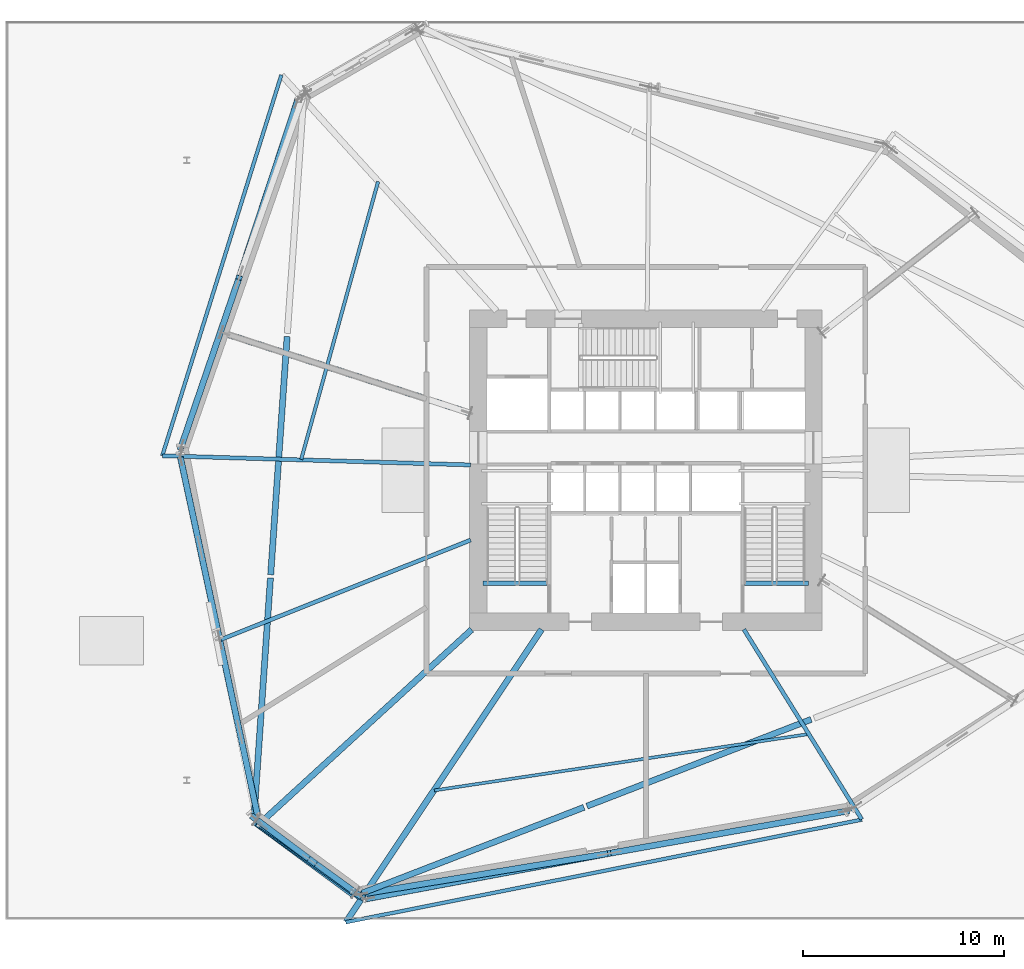
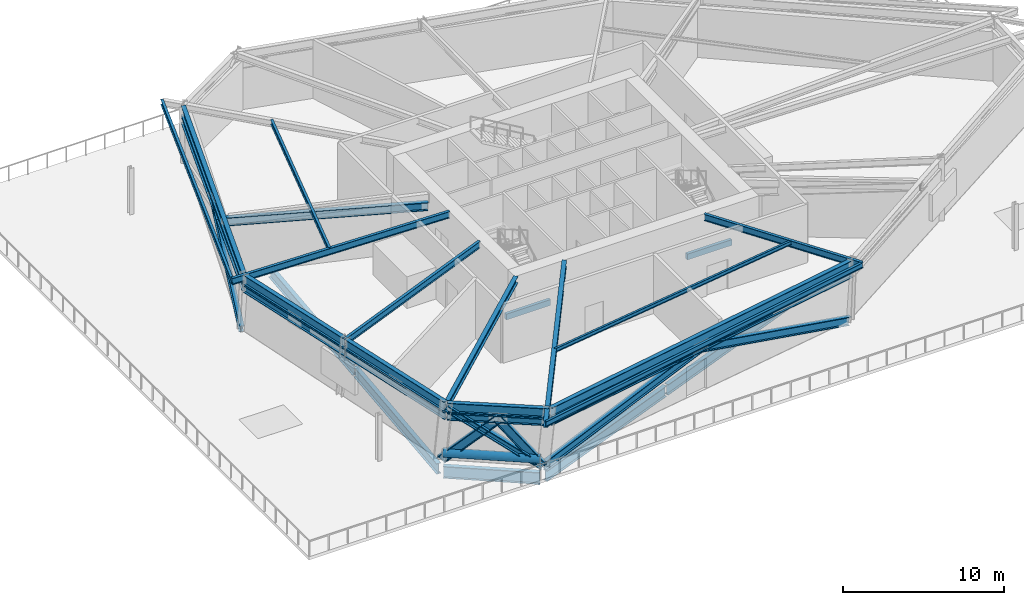
# One storey, part 5 of 20: 21 beams, 13 members.
"""IFC4 building model written with IfcOpenShell, lengths in metres."""

from ifc_helpers import new_model, si_unit, direction, frame, origin, origin_2d, place, context, subcontext, project, spatial, rectangle, hollow_circle, i_section, extrude, source, transform, mapped, material, material_profile, profile_set, type_object, element, save


model = new_model("IFC4")

# Units and contexts
model_context = context("Model", 3, precision=1e-05, world=origin(), true_north=direction((0.0, 1.0)))
body_context = subcontext(model_context, "Body", "Model", "MODEL_VIEW")
ifc_project = project(units=[si_unit("LENGTHUNIT", "METRE"), si_unit("AREAUNIT", "SQUARE_METRE"), si_unit("VOLUMEUNIT", "CUBIC_METRE"), si_unit("PLANEANGLEUNIT", "RADIAN"), si_unit("MASSUNIT", "GRAM", prefix="KILO")], contexts=[model_context])

# Site, building, storey
site_placement = place(None, origin())
site = spatial("IfcSite", under=ifc_project, at=site_placement, CompositionType="ELEMENT")
building_placement = place(site_placement, origin())
building = spatial("IfcBuilding", under=site, at=building_placement, Name="Olszyna Solenne Hotel", CompositionType="ELEMENT")
storey_placement = place(building_placement, frame((0.0, 0.0, 24.60009765625)))
storey = spatial("IfcBuildingStorey", under=building, at=storey_placement, Name="L05", CompositionType="ELEMENT", Elevation=24.60009765625)

# Beams
ifc_material_1 = material(Name="Steel S355J2", Category="steel")
ifc_material_profile_1 = material_profile(ifc_material_1, i_section(OverallWidth=0.300048828125, OverallDepth=0.699951171875, WebThickness=0.01708984375, FlangeThickness=0.031982421875, at=origin_2d()), Name="HEB 700", Category="load-bearing")
ifc_profile_set_1 = profile_set([ifc_material_profile_1], Name="Steel S355J2")
beam_type_1 = type_object("IfcBeamType", Name="BM-S1", PredefinedType="BEAM", material=ifc_profile_set_1)
shared_shape_1 = source(origin(), body_context, "Body", "SweptSolid", [
    extrude(i_section(OverallWidth=0.300048828125, OverallDepth=0.699951171875, WebThickness=0.01708984375, FlangeThickness=0.031982421875, at=origin_2d()), origin(), (0.0, 0.0, 1.0), 18.56103515625),
])
beam_1_placement = place(storey_placement, frame((20.703857421875, 44.9833984375, 4.099853515625), z_axis=(-0.313246973454, -0.94967169781, 0.0), x_axis=(0.94967169781, -0.313246973454, 0.0)))
element("IfcBeam", 1, at=beam_1_placement, inside=storey, type_object=beam_type_1, Name="Perimeter spandrel beam BM-S1 B-L05-0160", PredefinedType="BEAM", context=body_context, shape_type="MappedRepresentation", body=[
    mapped(shared_shape_1, transform((0.0, 0.0, 0.0), x_axis=(1.0, 0.0, 0.0), y_axis=(0.0, 1.0, 0.0), z_axis=(0.0, 0.0, 1.0), scale=1.0)),
])
shared_shape_2 = source(origin(), body_context, "Body", "SweptSolid", [
    extrude(i_section(OverallWidth=0.300048828125, OverallDepth=0.699951171875, WebThickness=0.01708984375, FlangeThickness=0.031982421875, at=origin_2d()), origin(), (0.0, 0.0, 1.0), 9.22021484375),
])
beam_2_placement = place(storey_placement, frame((14.88330078125, 27.24072265625, 4.099853515625), z_axis=(0.210637439632, -0.977564253144, 0.0), x_axis=(0.977564253144, 0.210637439632, 0.0)))
element("IfcBeam", 2, at=beam_2_placement, inside=storey, type_object=beam_type_1, Name="Perimeter spandrel beam BM-S1 B-L05-0161", PredefinedType="BEAM", context=body_context, shape_type="MappedRepresentation", body=[
    mapped(shared_shape_2, transform((0.0, 0.0, 0.0), x_axis=(1.0, 0.0, 0.0), y_axis=(0.0, 1.0, 0.0), z_axis=(0.0, 0.0, 1.0), scale=1.0)),
])
shared_shape_3 = source(origin(), body_context, "Body", "SweptSolid", [
    extrude(i_section(OverallWidth=0.300048828125, OverallDepth=0.699951171875, WebThickness=0.01708984375, FlangeThickness=0.031982421875, at=origin_2d()), origin(), (0.0, 0.0, 1.0), 9.220458984375),
])
beam_3_placement = place(storey_placement, frame((16.8505859375, 18.10986328125, 4.099853515625), z_axis=(0.21060668408, -0.977570879589, 0.0), x_axis=(0.977570879589, 0.21060668408, 0.0)))
element("IfcBeam", 3, at=beam_3_placement, inside=storey, type_object=beam_type_1, Name="Perimeter spandrel beam BM-S1 B-L05-0162", PredefinedType="BEAM", context=body_context, shape_type="MappedRepresentation", body=[
    mapped(shared_shape_3, transform((0.0, 0.0, 0.0), x_axis=(1.0, 0.0, 0.0), y_axis=(0.0, 1.0, 0.0), z_axis=(0.0, 0.0, 1.0), scale=1.0)),
])
shared_shape_4 = source(origin(), body_context, "Body", "SweptSolid", [
    extrude(i_section(OverallWidth=0.300048828125, OverallDepth=0.699951171875, WebThickness=0.01708984375, FlangeThickness=0.031982421875, at=origin_2d()), origin(), (0.0, 0.0, 1.0), 6.31884765625),
])
beam_4_placement = place(storey_placement, frame((18.85400390625, 9.002685546875, 4.099853515625), z_axis=(0.814111832914, -0.580708122476, 0.0), x_axis=(0.580708122476, 0.814111832914, 0.0)))
element("IfcBeam", 4, at=beam_4_placement, inside=storey, type_object=beam_type_1, Name="Perimeter spandrel beam BM-S1 B-L05-0163", PredefinedType="BEAM", context=body_context, shape_type="MappedRepresentation", body=[
    mapped(shared_shape_4, transform((0.0, 0.0, 0.0), x_axis=(1.0, 0.0, 0.0), y_axis=(0.0, 1.0, 0.0), z_axis=(0.0, 0.0, 1.0), scale=1.0)),
])
shared_shape_5 = source(origin(), body_context, "Body", "SweptSolid", [
    extrude(i_section(OverallWidth=0.300048828125, OverallDepth=0.699951171875, WebThickness=0.01708984375, FlangeThickness=0.031982421875, at=origin_2d()), origin(), (0.0, 0.0, 1.0), 24.5732421875),
])
beam_5_placement = place(storey_placement, frame((24.106201171875, 5.309326171875, 4.099853515625), z_axis=(0.982920629281, 0.184029988135, 0.0), x_axis=(-0.184029988135, 0.982920629281, 0.0)))
element("IfcBeam", 5, at=beam_5_placement, inside=storey, type_object=beam_type_1, Name="Perimeter spandrel beam BM-S1 B-L05-0164", PredefinedType="BEAM", context=body_context, shape_type="MappedRepresentation", body=[
    mapped(shared_shape_5, transform((0.0, 0.0, 0.0), x_axis=(1.0, 0.0, 0.0), y_axis=(0.0, 1.0, 0.0), z_axis=(0.0, 0.0, 1.0), scale=1.0)),
])
ifc_material_profile_2 = material_profile(ifc_material_1, i_section(OverallWidth=0.199951171875, OverallDepth=0.5, WebThickness=0.01025390625, FlangeThickness=0.01611328125, at=origin_2d()), Name="IPE 500", Category="load-bearing")
ifc_profile_set_2 = profile_set([ifc_material_profile_2], Name="Steel S355J2")
beam_type_2 = type_object("IfcBeamType", Name="BM-F3", PredefinedType="BEAM", material=ifc_profile_set_2)
shared_shape_6 = source(origin(), body_context, "Body", "SweptSolid", [
    extrude(i_section(OverallWidth=0.199951171875, OverallDepth=0.5, WebThickness=0.01025390625, FlangeThickness=0.01611328125, at=origin_2d()), origin(), (0.0, 0.0, 1.0), 15.306396484375),
])
beam_6_placement = place(storey_placement, frame((14.00048828125, 27.3203125, 4.199951171875), z_axis=(0.999553648599, -0.02987479828, 0.0), x_axis=(0.02987479828, 0.999553648599, 0.0)))
element("IfcBeam", 6, at=beam_6_placement, inside=storey, type_object=beam_type_2, Name="Radial floor girder BM-F3 B-L05-0173", PredefinedType="BEAM", context=body_context, shape_type="MappedRepresentation", body=[
    mapped(shared_shape_6, transform((0.0, 0.0, 0.0), x_axis=(1.0, 0.0, 0.0), y_axis=(0.0, 1.0, 0.0), z_axis=(0.0, 0.0, 1.0), scale=1.0)),
])
shared_shape_7 = source(origin(), body_context, "Body", "SweptSolid", [
    extrude(i_section(OverallWidth=0.199951171875, OverallDepth=0.5, WebThickness=0.01025390625, FlangeThickness=0.01611328125, at=origin_2d()), origin(), (0.0, 0.0, 1.0), 13.350830078125),
])
beam_7_placement = place(storey_placement, frame((16.893798828125, 18.190673828125, 4.199951171875), z_axis=(0.928976521116, 0.370138654041, 0.0), x_axis=(-0.370138654041, 0.928976521116, 0.0)))
element("IfcBeam", 7, at=beam_7_placement, inside=storey, type_object=beam_type_2, Name="Radial floor girder BM-F3 B-L05-0174", PredefinedType="BEAM", context=body_context, shape_type="MappedRepresentation", body=[
    mapped(shared_shape_7, transform((0.0, 0.0, 0.0), x_axis=(1.0, 0.0, 0.0), y_axis=(0.0, 1.0, 0.0), z_axis=(0.0, 0.0, 1.0), scale=1.0)),
])
ifc_material_profile_3 = material_profile(ifc_material_1, i_section(OverallWidth=0.300048828125, OverallDepth=0.489990234375, WebThickness=0.011962890625, FlangeThickness=0.02294921875, at=origin_2d()), Name="HEA 500", Category="load-bearing")
ifc_profile_set_3 = profile_set([ifc_material_profile_3], Name="Steel S355J2")
beam_type_3 = type_object("IfcBeamType", Name="BM-G1", PredefinedType="BEAM", material=ifc_profile_set_3)
shared_shape_8 = source(origin(), body_context, "Body", "SweptSolid", [
    extrude(i_section(OverallWidth=0.300048828125, OverallDepth=0.489990234375, WebThickness=0.011962890625, FlangeThickness=0.02294921875, at=origin_2d()), origin(), (0.0, 0.0, 1.0), 14.229736328125),
])
beam_8_placement = place(storey_placement, frame((18.849609375, 9.077880859375, 4.204833984375), z_axis=(0.73776559633, 0.675056978982, 0.0), x_axis=(-0.675056978982, 0.73776559633, 0.0)))
element("IfcBeam", 8, at=beam_8_placement, inside=storey, type_object=beam_type_3, Name="Radial floor girder BM-G1 B-L05-0175", PredefinedType="BEAM", context=body_context, shape_type="MappedRepresentation", body=[
    mapped(shared_shape_8, transform((0.0, 0.0, 0.0), x_axis=(1.0, 0.0, 0.0), y_axis=(0.0, 1.0, 0.0), z_axis=(0.0, 0.0, 1.0), scale=1.0)),
])
shared_shape_9 = source(origin(), body_context, "Body", "SweptSolid", [
    extrude(i_section(OverallWidth=0.300048828125, OverallDepth=0.489990234375, WebThickness=0.011962890625, FlangeThickness=0.02294921875, at=origin_2d()), origin(), (0.0, 0.0, 1.0), 17.475341796875),
])
beam_9_placement = place(storey_placement, frame((23.105712890625, 4.165283203125, 4.204833984375), z_axis=(0.555886049858, 0.831258503459, 0.0), x_axis=(-0.831258503459, 0.555886049858, 0.0)))
element("IfcBeam", 9, at=beam_9_placement, inside=storey, type_object=beam_type_3, Name="Radial floor girder BM-G1 B-L05-0176", PredefinedType="BEAM", context=body_context, shape_type="MappedRepresentation", body=[
    mapped(shared_shape_9, transform((0.0, 0.0, 0.0), x_axis=(1.0, 0.0, 0.0), y_axis=(0.0, 1.0, 0.0), z_axis=(0.0, 0.0, 1.0), scale=1.0)),
])
shared_shape_10 = source(origin(), body_context, "Body", "SweptSolid", [
    extrude(i_section(OverallWidth=0.199951171875, OverallDepth=0.5, WebThickness=0.01025390625, FlangeThickness=0.01611328125, at=origin_2d()), origin(), (0.0, 0.0, 1.0), 11.098388671875),
])
beam_10_placement = place(storey_placement, frame((48.72216796875, 9.26318359375, 4.199951171875), z_axis=(-0.527380384547, 0.849629289746, 0.0), x_axis=(-0.849629289746, -0.527380384547, 0.0)))
element("IfcBeam", 10, at=beam_10_placement, inside=storey, type_object=beam_type_2, Name="Radial floor girder BM-F3 B-L05-0177", PredefinedType="BEAM", context=body_context, shape_type="MappedRepresentation", body=[
    mapped(shared_shape_10, transform((0.0, 0.0, 0.0), x_axis=(1.0, 0.0, 0.0), y_axis=(0.0, 1.0, 0.0), z_axis=(0.0, 0.0, 1.0), scale=1.0)),
])
ifc_material_profile_4 = material_profile(ifc_material_1, i_section(OverallWidth=0.169921875, OverallDepth=0.360107421875, WebThickness=0.008056640625, FlangeThickness=0.0126953125, at=origin_2d()), Name="IPE 360", Category="load-bearing")
ifc_profile_set_4 = profile_set([ifc_material_profile_4], Name="Steel S355J2")
beam_type_4 = type_object("IfcBeamType", Name="JS-01", PredefinedType="JOIST", material=ifc_profile_set_4)
shared_shape_11 = source(origin(), body_context, "Body", "SweptSolid", [
    extrude(i_section(OverallWidth=0.169921875, OverallDepth=0.360107421875, WebThickness=0.008056640625, FlangeThickness=0.0126953125, at=origin_2d()), origin(), (0.0, 0.0, 1.0), 14.324462890625),
])
beam_11_placement = place(storey_placement, frame((24.7001953125, 40.93994140625, 4.27001953125), z_axis=(-0.266713720767, -0.963775799216, 0.0), x_axis=(0.963775799216, -0.266713720767, 0.0)))
element("IfcBeam", 11, at=beam_11_placement, inside=storey, type_object=beam_type_4, Name="Secondary composite floor joist JS-01 B-L05-0182", PredefinedType="JOIST", context=body_context, shape_type="MappedRepresentation", body=[
    mapped(shared_shape_11, transform((0.0, 0.0, 0.0), x_axis=(1.0, 0.0, 0.0), y_axis=(0.0, 1.0, 0.0), z_axis=(0.0, 0.0, 1.0), scale=1.0)),
])
ifc_material_profile_5 = material_profile(ifc_material_1, i_section(OverallWidth=0.14990234375, OverallDepth=0.300048828125, WebThickness=0.007080078125, FlangeThickness=0.0107421875, at=origin_2d()), Name="IPE 300", Category="load-bearing")
ifc_profile_set_5 = profile_set([ifc_material_profile_5], Name="Steel S355J2")
beam_type_5 = type_object("IfcBeamType", Name="JS-02", PredefinedType="JOIST", material=ifc_profile_set_5)
shared_shape_12 = source(origin(), body_context, "Body", "SweptSolid", [
    extrude(i_section(OverallWidth=0.14990234375, OverallDepth=0.300048828125, WebThickness=0.007080078125, FlangeThickness=0.0107421875, at=origin_2d()), origin(), (0.0, 0.0, 1.0), 18.792724609375),
])
beam_12_placement = place(storey_placement, frame((27.490966796875, 10.696044921875, 4.2998046875), z_axis=(0.98885339161, 0.148892477649, 0.0), x_axis=(-0.148892477649, 0.98885339161, 0.0)))
element("IfcBeam", 12, at=beam_12_placement, inside=storey, type_object=beam_type_5, Name="Secondary composite floor joist JS-02 B-L05-0183", PredefinedType="JOIST", context=body_context, shape_type="MappedRepresentation", body=[
    mapped(shared_shape_12, transform((0.0, 0.0, 0.0), x_axis=(1.0, 0.0, 0.0), y_axis=(0.0, 1.0, 0.0), z_axis=(0.0, 0.0, 1.0), scale=1.0)),
])
ifc_material_profile_6 = material_profile(ifc_material_1, i_section(OverallWidth=0.179931640625, OverallDepth=0.39990234375, WebThickness=0.008544921875, FlangeThickness=0.013427734375, at=origin_2d()), Name="IPE 400", Category="load-bearing")
ifc_profile_set_6 = profile_set([ifc_material_profile_6], Name="Steel S355J2")
beam_type_6 = type_object("IfcBeamType", Name="BM-F5", PredefinedType="BEAM", material=ifc_profile_set_6)
shared_shape_13 = source(origin(), body_context, "Body", "SweptSolid", [
    extrude(i_section(OverallWidth=0.179931640625, OverallDepth=0.39990234375, WebThickness=0.008544921875, FlangeThickness=0.013427734375, at=origin_2d()), origin(), (0.0, 0.0, 1.0), 19.815185546875),
])
beam_13_placement = place(storey_placement, frame((19.894775390625, 46.23291015625, 4.25), z_axis=(-0.298460194842, -0.954422082778, 0.0), x_axis=(0.954422082778, -0.298460194842, 0.0)))
element("IfcBeam", 13, at=beam_13_placement, inside=storey, type_object=beam_type_6, Name="Loggia outer edge beam BM-F5 B-L05-0185", PredefinedType="BEAM", context=body_context, shape_type="MappedRepresentation", body=[
    mapped(shared_shape_13, transform((0.0, 0.0, 0.0), x_axis=(1.0, 0.0, 0.0), y_axis=(0.0, 1.0, 0.0), z_axis=(0.0, 0.0, 1.0), scale=1.0)),
])
shared_shape_14 = source(origin(), body_context, "Body", "SweptSolid", [
    extrude(i_section(OverallWidth=0.179931640625, OverallDepth=0.39990234375, WebThickness=0.008544921875, FlangeThickness=0.013427734375, at=origin_2d()), origin(), (0.0, 0.0, 1.0), 26.139892578125),
])
beam_14_placement = place(storey_placement, frame((23.094482421875, 4.148681640625, 4.25), z_axis=(0.980802402833, 0.195004221997, 0.0), x_axis=(-0.195004221997, 0.980802402833, 0.0)))
element("IfcBeam", 14, at=beam_14_placement, inside=storey, type_object=beam_type_6, Name="Loggia outer edge beam BM-F5 B-L05-0186", PredefinedType="BEAM", context=body_context, shape_type="MappedRepresentation", body=[
    mapped(shared_shape_14, transform((0.0, 0.0, 0.0), x_axis=(1.0, 0.0, 0.0), y_axis=(0.0, 1.0, 0.0), z_axis=(0.0, 0.0, 1.0), scale=1.0)),
])

# Member
ifc_material_2 = material(Name="Steel S460M", Category="steel")
ifc_material_profile_7 = material_profile(ifc_material_2, i_section(OverallWidth=0.412109375, OverallDepth=0.43505859375, WebThickness=0.031494140625, FlangeThickness=0.050048828125, at=origin_2d()), Name="HD 400x463", Category="load-bearing")
ifc_profile_set_7 = profile_set([ifc_material_profile_7], Name="Steel S460M")
member_type_1 = type_object("IfcMemberType", Name="BR-T1", PredefinedType="BRACE", material=ifc_profile_set_7)
shared_shape_15 = source(origin(), body_context, "Body", "SweptSolid", [
    extrude(i_section(OverallWidth=0.412109375, OverallDepth=0.43505859375, WebThickness=0.031494140625, FlangeThickness=0.050048828125, at=origin_2d()), origin(), (0.0, 0.0, 1.0), 7.274169921875),
])
member_1_placement = place(storey_placement, frame((23.71435546875, 5.520263671875, 0.010009765625), z_axis=(-0.674874469991, 0.483534736879, 0.557439331215), x_axis=(-0.582419225692, -0.812888581261, 0.0)))
element("IfcMember", 15, at=member_1_placement, inside=storey, type_object=member_type_1, Name="Perimeter braced-tube diagonal BR-T1 BR-L05-3", PredefinedType="BRACE", context=body_context, shape_type="MappedRepresentation", body=[
    mapped(shared_shape_15, transform((0.0, 0.0, 0.0), x_axis=(1.0, 0.0, 0.0), y_axis=(0.0, 1.0, 0.0), z_axis=(0.0, 0.0, 1.0), scale=1.0)),
])

# Beams
ifc_material_profile_8 = material_profile(ifc_material_1, i_section(OverallWidth=0.300048828125, OverallDepth=0.800048828125, WebThickness=0.017578125, FlangeThickness=0.032958984375, at=origin_2d()), Name="HEB 800", Category="load-bearing")
ifc_profile_set_8 = profile_set([ifc_material_profile_8], Name="Steel S355J2")
beam_type_7 = type_object("IfcBeamType", Name="TG-02", PredefinedType="BEAM", material=ifc_profile_set_8)
shared_shape_16 = source(origin(), body_context, "Body", "SweptSolid", [
    extrude(i_section(OverallWidth=0.300048828125, OverallDepth=0.800048828125, WebThickness=0.017578125, FlangeThickness=0.032958984375, at=origin_2d()), origin(), (0.0, 0.0, 1.0), 11.73779296875),
])
beam_15_placement = place(storey_placement, frame((19.353759765625, 21.250732421875, -0.820068359375), z_axis=(-0.068867049819, -0.997625846422, 0.0), x_axis=(0.997625846422, -0.068867049819, 0.0)))
element("IfcBeam", 16, at=beam_15_placement, inside=storey, type_object=beam_type_7, Name="Transfer girder TG-02 TG-L05-04-3", PredefinedType="BEAM", context=body_context, shape_type="MappedRepresentation", body=[
    mapped(shared_shape_16, transform((0.0, 0.0, 0.0), x_axis=(1.0, 0.0, 0.0), y_axis=(0.0, 1.0, 0.0), z_axis=(0.0, 0.0, 1.0), scale=1.0)),
])
shared_shape_17 = source(origin(), body_context, "Body", "SweptSolid", [
    extrude(i_section(OverallWidth=0.300048828125, OverallDepth=0.800048828125, WebThickness=0.017578125, FlangeThickness=0.032958984375, at=origin_2d()), origin(), (0.0, 0.0, 1.0), 11.85791015625),
])
beam_16_placement = place(storey_placement, frame((20.181396484375, 33.240234375, -0.820068359375), z_axis=(-0.068869217947, -0.997625696752, 0.0), x_axis=(0.997625696752, -0.068869217947, 0.0)))
element("IfcBeam", 17, at=beam_16_placement, inside=storey, type_object=beam_type_7, Name="Transfer girder TG-02 TG-L05-04-2", PredefinedType="BEAM", context=body_context, shape_type="MappedRepresentation", body=[
    mapped(shared_shape_17, transform((0.0, 0.0, 0.0), x_axis=(1.0, 0.0, 0.0), y_axis=(0.0, 1.0, 0.0), z_axis=(0.0, 0.0, 1.0), scale=1.0)),
])
ifc_material_profile_9 = material_profile(ifc_material_2, i_section(OverallWidth=0.300048828125, OverallDepth=0.89990234375, WebThickness=0.0185546875, FlangeThickness=0.034912109375, at=origin_2d()), Name="HEB 900", Category="load-bearing")
ifc_profile_set_9 = profile_set([ifc_material_profile_9], Name="Steel S460M")
beam_type_8 = type_object("IfcBeamType", Name="TG-01", PredefinedType="BEAM", material=ifc_profile_set_9)
shared_shape_18 = source(origin(), body_context, "Body", "SweptSolid", [
    extrude(i_section(OverallWidth=0.300048828125, OverallDepth=0.89990234375, WebThickness=0.0185546875, FlangeThickness=0.034912109375, at=origin_2d()), origin(), (0.0, 0.0, 1.0), 6.038818359375),
])
beam_17_placement = place(storey_placement, frame((18.692626953125, 9.222412109375, -0.8701171875), z_axis=(0.804897287005, -0.59341415333, 0.0), x_axis=(0.59341415333, 0.804897287005, 0.0)))
element("IfcBeam", 18, at=beam_17_placement, inside=storey, type_object=beam_type_8, Name="Transfer girder TG-01 TG-L05-05", PredefinedType="BEAM", context=body_context, shape_type="MappedRepresentation", body=[
    mapped(shared_shape_18, transform((0.0, 0.0, 0.0), x_axis=(1.0, 0.0, 0.0), y_axis=(0.0, 1.0, 0.0), z_axis=(0.0, 0.0, 1.0), scale=1.0)),
])
shared_shape_19 = source(origin(), body_context, "Body", "SweptSolid", [
    extrude(i_section(OverallWidth=0.300048828125, OverallDepth=0.800048828125, WebThickness=0.017578125, FlangeThickness=0.032958984375, at=origin_2d()), origin(), (0.0, 0.0, 1.0), 11.821044921875),
])
beam_18_placement = place(storey_placement, frame((23.90087890625, 5.59228515625, -0.820068359375), z_axis=(0.932641195826, 0.360805210396, 0.0), x_axis=(-0.360805210396, 0.932641195826, 0.0)))
element("IfcBeam", 19, at=beam_18_placement, inside=storey, type_object=beam_type_7, Name="Transfer girder TG-02 TG-L05-06-1", PredefinedType="BEAM", context=body_context, shape_type="MappedRepresentation", body=[
    mapped(shared_shape_19, transform((0.0, 0.0, 0.0), x_axis=(1.0, 0.0, 0.0), y_axis=(0.0, 1.0, 0.0), z_axis=(0.0, 0.0, 1.0), scale=1.0)),
])
shared_shape_20 = source(origin(), body_context, "Body", "SweptSolid", [
    extrude(i_section(OverallWidth=0.300048828125, OverallDepth=0.800048828125, WebThickness=0.017578125, FlangeThickness=0.032958984375, at=origin_2d()), origin(), (0.0, 0.0, 1.0), 11.94091796875),
])
beam_19_placement = place(storey_placement, frame((35.074951171875, 9.915283203125, -0.820068359375), z_axis=(0.932649339214, 0.360784159939, 0.0), x_axis=(-0.360784159939, 0.932649339214, 0.0)))
element("IfcBeam", 20, at=beam_19_placement, inside=storey, type_object=beam_type_7, Name="Transfer girder TG-02 TG-L05-06-2", PredefinedType="BEAM", context=body_context, shape_type="MappedRepresentation", body=[
    mapped(shared_shape_20, transform((0.0, 0.0, 0.0), x_axis=(1.0, 0.0, 0.0), y_axis=(0.0, 1.0, 0.0), z_axis=(0.0, 0.0, 1.0), scale=1.0)),
])

# Members
ifc_material_profile_10 = material_profile(ifc_material_1, i_section(OverallWidth=0.305908203125, OverallDepth=0.52392578125, WebThickness=0.02099609375, FlangeThickness=0.0400390625, at=origin_2d()), Name="HEM 500", Category="load-bearing")
ifc_profile_set_10 = profile_set([ifc_material_profile_10], Name="Steel S355J2")
member_type_2 = type_object("IfcMemberType", Name="CH-TR1", PredefinedType="CHORD", material=ifc_profile_set_10)
shared_shape_21 = source(origin(), body_context, "Body", "SweptSolid", [
    extrude(i_section(OverallWidth=0.305908203125, OverallDepth=0.52392578125, WebThickness=0.02099609375, FlangeThickness=0.0400390625, at=origin_2d()), origin(), (0.0, 0.0, 1.0), 18.60107421875),
])
member_2_placement = place(storey_placement, frame((20.710205078125, 45.002197265625, 3.39990234375), z_axis=(-0.313257314623, -0.949668286738, 0.0), x_axis=(0.949668286738, -0.313257314623, 0.0)))
element("IfcMember", 21, at=member_2_placement, inside=storey, type_object=member_type_2, Name="Transfer truss upper chord CH-TR1 CH-L05-06", PredefinedType="CHORD", context=body_context, shape_type="MappedRepresentation", body=[
    mapped(shared_shape_21, transform((0.0, 0.0, 0.0), x_axis=(1.0, 0.0, 0.0), y_axis=(0.0, 1.0, 0.0), z_axis=(0.0, 0.0, 1.0), scale=1.0)),
])
ifc_material_profile_11 = material_profile(ifc_material_2, i_section(OverallWidth=0.304931640625, OverallDepth=0.6201171875, WebThickness=0.02099609375, FlangeThickness=0.0400390625, at=origin_2d()), Name="HEM 600", Category="load-bearing")
ifc_profile_set_11 = profile_set([ifc_material_profile_11], Name="Steel S460M")
member_type_3 = type_object("IfcMemberType", Name="BR-OU1", PredefinedType="BRACE", material=ifc_profile_set_11)
shared_shape_22 = source(origin(), body_context, "Body", "SweptSolid", [
    extrude(i_section(OverallWidth=0.304931640625, OverallDepth=0.6201171875, WebThickness=0.02099609375, FlangeThickness=0.0400390625, at=origin_2d()), origin(), (0.0, 0.0, 1.0), 9.568603515625),
])
member_3_placement = place(storey_placement, frame((14.897705078125, 27.700439453125, 0.02001953125), z_axis=(0.302960050386, 0.885126082866, 0.353223760952), x_axis=(-0.946113638412, 0.323834808524, 0.0)))
element("IfcMember", 22, at=member_3_placement, inside=storey, type_object=member_type_3, Name="Transfer truss diagonal BR-OU1 BT-L05-06-2", PredefinedType="BRACE", context=body_context, shape_type="MappedRepresentation", body=[
    mapped(shared_shape_22, transform((0.0, 0.0, 0.0), x_axis=(1.0, 0.0, 0.0), y_axis=(0.0, 1.0, 0.0), z_axis=(0.0, 0.0, 1.0), scale=1.0)),
])
shared_shape_23 = source(origin(), body_context, "Body", "SweptSolid", [
    extrude(i_section(OverallWidth=0.305908203125, OverallDepth=0.52392578125, WebThickness=0.02099609375, FlangeThickness=0.0400390625, at=origin_2d()), origin(), (0.0, 0.0, 1.0), 9.2607421875),
])
member_4_placement = place(storey_placement, frame((14.879150390625, 27.260498046875, 3.39990234375), z_axis=(0.21061460386, -0.977569173328, 0.0), x_axis=(0.977569173328, 0.21061460386, 0.0)))
element("IfcMember", 23, at=member_4_placement, inside=storey, type_object=member_type_2, Name="Transfer truss upper chord CH-TR1 CH-L05-07", PredefinedType="CHORD", context=body_context, shape_type="MappedRepresentation", body=[
    mapped(shared_shape_23, transform((0.0, 0.0, 0.0), x_axis=(1.0, 0.0, 0.0), y_axis=(0.0, 1.0, 0.0), z_axis=(0.0, 0.0, 1.0), scale=1.0)),
])
shared_shape_24 = source(origin(), body_context, "Body", "SweptSolid", [
    extrude(i_section(OverallWidth=0.305908203125, OverallDepth=0.52392578125, WebThickness=0.02099609375, FlangeThickness=0.0400390625, at=origin_2d()), origin(), (0.0, 0.0, 1.0), 9.260498046875),
])
member_5_placement = place(storey_placement, frame((16.846435546875, 18.12939453125, 3.39990234375), z_axis=(0.210620031899, -0.977568003856, 0.0), x_axis=(0.977568003856, 0.210620031899, 0.0)))
element("IfcMember", 24, at=member_5_placement, inside=storey, type_object=member_type_2, Name="Transfer truss upper chord CH-TR1 CH-L05-08", PredefinedType="CHORD", context=body_context, shape_type="MappedRepresentation", body=[
    mapped(shared_shape_24, transform((0.0, 0.0, 0.0), x_axis=(1.0, 0.0, 0.0), y_axis=(0.0, 1.0, 0.0), z_axis=(0.0, 0.0, 1.0), scale=1.0)),
])
shared_shape_25 = source(origin(), body_context, "Body", "SweptSolid", [
    extrude(i_section(OverallWidth=0.305908203125, OverallDepth=0.52392578125, WebThickness=0.02099609375, FlangeThickness=0.0400390625, at=origin_2d()), origin(), (0.0, 0.0, 1.0), 6.35888671875),
])
member_6_placement = place(storey_placement, frame((18.837890625, 9.014404296875, 3.39990234375), z_axis=(0.814091308345, -0.580736895398, 0.0), x_axis=(0.580736895398, 0.814091308345, 0.0)))
element("IfcMember", 25, at=member_6_placement, inside=storey, type_object=member_type_2, Name="Transfer truss upper chord CH-TR1 CH-L05-09", PredefinedType="CHORD", context=body_context, shape_type="MappedRepresentation", body=[
    mapped(shared_shape_25, transform((0.0, 0.0, 0.0), x_axis=(1.0, 0.0, 0.0), y_axis=(0.0, 1.0, 0.0), z_axis=(0.0, 0.0, 1.0), scale=1.0)),
])
shared_shape_26 = source(origin(), body_context, "Body", "SweptSolid", [
    extrude(i_section(OverallWidth=0.304931640625, OverallDepth=0.6201171875, WebThickness=0.02099609375, FlangeThickness=0.0400390625, at=origin_2d()), origin(), (0.0, 0.0, 1.0), 4.923095703125),
])
member_7_placement = place(storey_placement, frame((18.56396484375, 9.3173828125, 0.02001953125), z_axis=(0.581409353466, -0.436602520293, 0.68654308166), x_axis=(0.600480057714, 0.799639731559, 0.0)))
element("IfcMember", 26, at=member_7_placement, inside=storey, type_object=member_type_3, Name="Transfer truss diagonal BR-OU1 BT-L05-09-1", PredefinedType="BRACE", context=body_context, shape_type="MappedRepresentation", body=[
    mapped(shared_shape_26, transform((0.0, 0.0, 0.0), x_axis=(1.0, 0.0, 0.0), y_axis=(0.0, 1.0, 0.0), z_axis=(0.0, 0.0, 1.0), scale=1.0)),
])
shared_shape_27 = source(origin(), body_context, "Body", "SweptSolid", [
    extrude(i_section(OverallWidth=0.304931640625, OverallDepth=0.6201171875, WebThickness=0.02099609375, FlangeThickness=0.0400390625, at=origin_2d()), origin(), (0.0, 0.0, 1.0), 4.3759765625),
])
member_8_placement = place(storey_placement, frame((23.68212890625, 5.5439453125, 0.02001953125), z_axis=(-0.515499289432, 0.371114856418, 0.772356294686), x_axis=(-0.584258448816, -0.811567658909, 0.0)))
element("IfcMember", 27, at=member_8_placement, inside=storey, type_object=member_type_3, Name="Transfer truss diagonal BR-OU1 BT-L05-09-2", PredefinedType="BRACE", context=body_context, shape_type="MappedRepresentation", body=[
    mapped(shared_shape_27, transform((0.0, 0.0, 0.0), x_axis=(1.0, 0.0, 0.0), y_axis=(0.0, 1.0, 0.0), z_axis=(0.0, 0.0, 1.0), scale=1.0)),
])
shared_shape_28 = source(origin(), body_context, "Body", "SweptSolid", [
    extrude(i_section(OverallWidth=0.305908203125, OverallDepth=0.52392578125, WebThickness=0.02099609375, FlangeThickness=0.0400390625, at=origin_2d()), origin(), (0.0, 0.0, 1.0), 24.61328125),
])
member_9_placement = place(storey_placement, frame((24.08642578125, 5.305908203125, 3.39990234375), z_axis=(0.982922681219, 0.184019028215, 0.0), x_axis=(-0.184019028215, 0.982922681219, 0.0)))
element("IfcMember", 28, at=member_9_placement, inside=storey, type_object=member_type_2, Name="Transfer truss upper chord CH-TR1 CH-L05-10", PredefinedType="CHORD", context=body_context, shape_type="MappedRepresentation", body=[
    mapped(shared_shape_28, transform((0.0, 0.0, 0.0), x_axis=(1.0, 0.0, 0.0), y_axis=(0.0, 1.0, 0.0), z_axis=(0.0, 0.0, 1.0), scale=1.0)),
])
shared_shape_29 = source(origin(), body_context, "Body", "SweptSolid", [
    extrude(i_section(OverallWidth=0.304931640625, OverallDepth=0.6201171875, WebThickness=0.02099609375, FlangeThickness=0.0400390625, at=origin_2d()), origin(), (0.0, 0.0, 1.0), 13.0419921875),
])
member_10_placement = place(storey_placement, frame((23.753662109375, 5.52685546875, 0.02001953125), z_axis=(0.95303866731, 0.156702612089, 0.259155532404), x_axis=(-0.162245636597, 0.986750400763, 0.0)))
element("IfcMember", 29, at=member_10_placement, inside=storey, type_object=member_type_3, Name="Transfer truss diagonal BR-OU1 BT-L05-10-1", PredefinedType="BRACE", context=body_context, shape_type="MappedRepresentation", body=[
    mapped(shared_shape_29, transform((0.0, 0.0, 0.0), x_axis=(1.0, 0.0, 0.0), y_axis=(0.0, 1.0, 0.0), z_axis=(0.0, 0.0, 1.0), scale=1.0)),
])
shared_shape_30 = source(origin(), body_context, "Body", "SweptSolid", [
    extrude(i_section(OverallWidth=0.304931640625, OverallDepth=0.6201171875, WebThickness=0.02099609375, FlangeThickness=0.0400390625, at=origin_2d()), origin(), (0.0, 0.0, 1.0), 12.48388671875),
])
member_11_placement = place(storey_placement, frame((48.014892578125, 9.67578125, 0.02001953125), z_axis=(-0.947766712423, -0.168635708917, 0.270740201118), x_axis=(0.175178184559, -0.984536745711, 0.0)))
element("IfcMember", 30, at=member_11_placement, inside=storey, type_object=member_type_3, Name="Transfer truss diagonal BR-OU1 BT-L05-10-2", PredefinedType="BRACE", context=body_context, shape_type="MappedRepresentation", body=[
    mapped(shared_shape_30, transform((0.0, 0.0, 0.0), x_axis=(1.0, 0.0, 0.0), y_axis=(0.0, 1.0, 0.0), z_axis=(0.0, 0.0, 1.0), scale=1.0)),
])
shared_shape_31 = source(origin(), body_context, "Body", "SweptSolid", [
    extrude(i_section(OverallWidth=0.304931640625, OverallDepth=0.6201171875, WebThickness=0.02099609375, FlangeThickness=0.0400390625, at=origin_2d()), origin(), (0.0, 0.0, 1.0), 12.98291015625),
])
member_12_placement = place(storey_placement, frame((29.25, 29.443115234375, 3.2998046875), z_axis=(-0.949672893196, 0.308565650953, 0.053931762261), x_axis=(-0.309015384698, -0.951057039309, 0.0)))
element("IfcMember", 31, at=member_12_placement, inside=storey, type_object=member_type_3, Name="Outrigger truss brace BR-OU1 OU-L05-03", PredefinedType="BRACE", context=body_context, shape_type="MappedRepresentation", body=[
    mapped(shared_shape_31, transform((0.0, 0.0, 0.0), x_axis=(1.0, 0.0, 0.0), y_axis=(0.0, 1.0, 0.0), z_axis=(0.0, 0.0, 1.0), scale=1.0)),
])
ifc_material_profile_12 = material_profile(ifc_material_2, hollow_circle(Radius=0.304931640625, WallThickness=0.02490234375, at=origin_2d()), Name="CHS 610x25", Category="load-bearing")
ifc_profile_set_12 = profile_set([ifc_material_profile_12], Name="Steel S460M")
member_type_4 = type_object("IfcMemberType", Name="BR-TB1", PredefinedType="BRACE", material=ifc_profile_set_12)
shared_shape_32 = source(origin(), body_context, "Body", "SweptSolid", [
    extrude(hollow_circle(Radius=0.304931640625, WallThickness=0.02490234375, at=origin_2d()), origin(), (0.0, 0.0, 1.0), 6.078857421875),
])
member_13_placement = place(storey_placement, frame((18.676513671875, 9.234375, 0.5498046875), z_axis=(0.80488419636, -0.593431908857, 0.0), x_axis=(0.593431908857, 0.80488419636, 0.0)))
element("IfcMember", 32, at=member_13_placement, inside=storey, type_object=member_type_4, Name="Belt collar tie BR-TB1 CTB-L05-3", PredefinedType="BRACE", context=body_context, shape_type="MappedRepresentation", body=[
    mapped(shared_shape_32, transform((0.0, 0.0, 0.0), x_axis=(1.0, 0.0, 0.0), y_axis=(0.0, 1.0, 0.0), z_axis=(0.0, 0.0, 1.0), scale=1.0)),
])

# Beams
ifc_material_3 = material(Name="Concrete C50/60", Category="concrete")
ifc_material_profile_13 = material_profile(ifc_material_3, rectangle(XDim=0.219970703125, YDim=0.43994140625, at=origin_2d()), Name="RC 220x440", Category="load-bearing")
ifc_profile_set_13 = profile_set([ifc_material_profile_13], Name="Concrete C50/60")
beam_type_9 = type_object("IfcBeamType", Name="BM-ST1", PredefinedType="BEAM", material=ifc_profile_set_13)
shared_shape_33 = source(origin(), body_context, "Body", "SweptSolid", [
    extrude(rectangle(XDim=0.219970703125, YDim=0.43994140625, at=origin_2d()), origin(), (0.0, 0.0, 1.0), 3.18017578125),
])
for number, where, z_axis, x_axis, name in (
    (33, (33.10009765625, 20.97998046875, -0.205078125), (-1.0, 0.0, 0.0), (0.0, -1.0, 0.0), "Concrete stair trimmer beam BM-ST1 SHB-ST1-0167"),
    (34, (46.080078125, 20.97998046875, -0.205078125), (-1.0, 0.0, 0.0), (0.0, -1.0, 0.0), "Concrete stair trimmer beam BM-ST1 SHB-ST2-0407"),
):
    element("IfcBeam", number, at=place(storey_placement, frame(where, z_axis=z_axis, x_axis=x_axis)), inside=storey, type_object=beam_type_9, Name=name, PredefinedType="BEAM", context=body_context, shape_type="MappedRepresentation", body=[
        mapped(shared_shape_33, transform((0.0, 0.0, 0.0), x_axis=(1.0, 0.0, 0.0), y_axis=(0.0, 1.0, 0.0), z_axis=(0.0, 0.0, 1.0), scale=1.0)),
    ])

save(model, "model.ifc")
